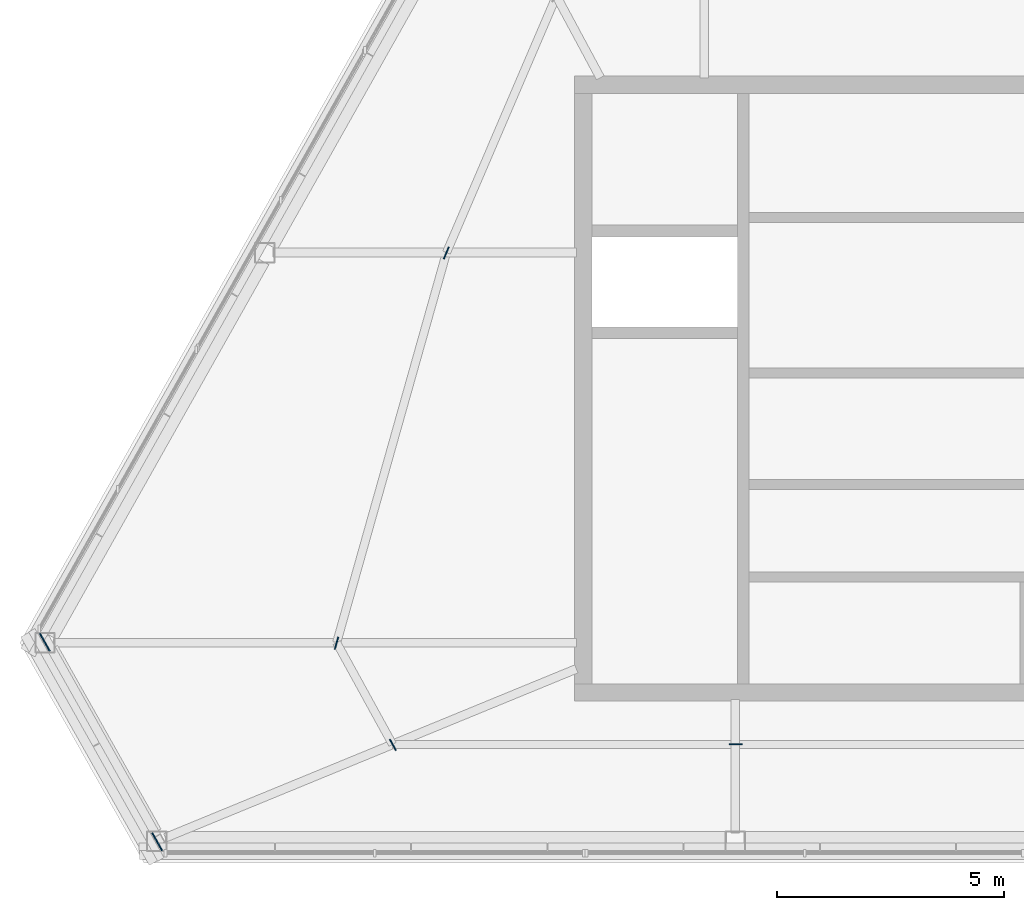
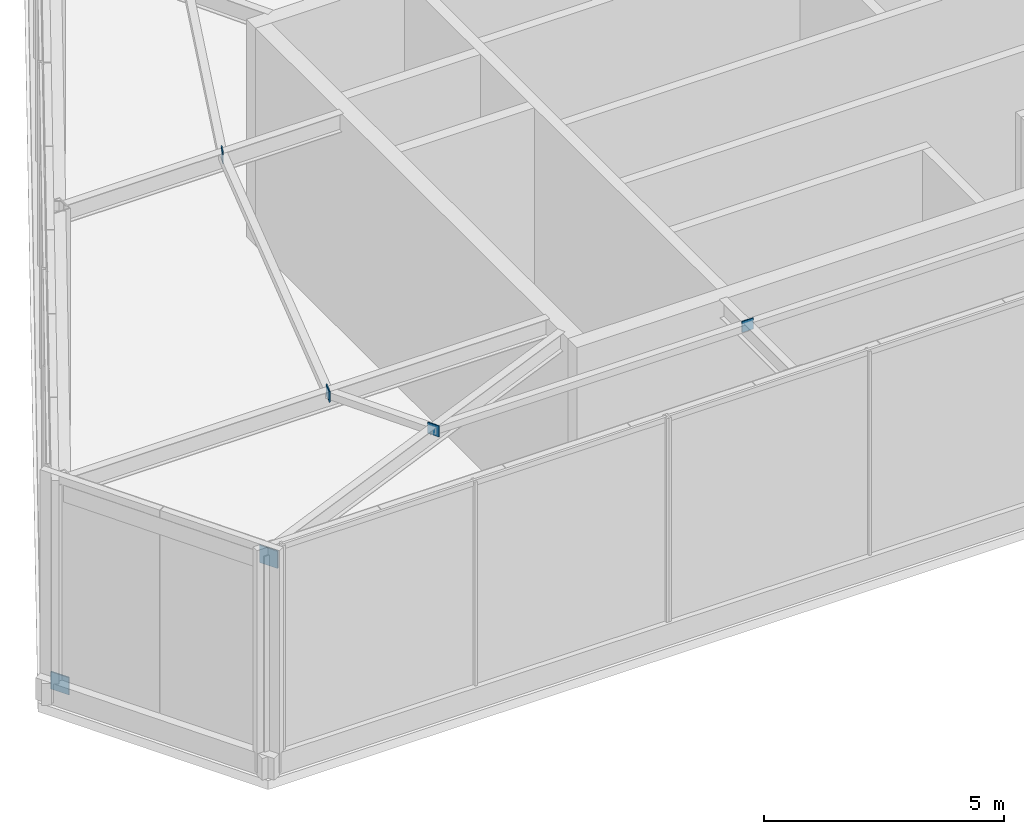
# One storey, part 7 of 12: 6 plates.
"""IFC4 building model written with IfcOpenShell, lengths in metres."""

from ifc_helpers import new_model, si_unit, direction, frame, origin, origin_2d, place, context, subcontext, project, spatial, rectangle, extrude, material, layer, layer_set, type_object, element, save


model = new_model("IFC4")

# Units and contexts
model_context = context("Model", 3, precision=1e-05, world=origin(), true_north=direction((0.0, 1.0)))
body_context = subcontext(model_context, "Body", "Model", "MODEL_VIEW")
ifc_project = project(units=[si_unit("LENGTHUNIT", "METRE"), si_unit("AREAUNIT", "SQUARE_METRE"), si_unit("VOLUMEUNIT", "CUBIC_METRE"), si_unit("PLANEANGLEUNIT", "RADIAN"), si_unit("MASSUNIT", "GRAM", prefix="KILO")], contexts=[model_context])

# Site, building, storey
site_placement = place(None, origin())
site = spatial("IfcSite", under=ifc_project, at=site_placement, CompositionType="ELEMENT")
building_placement = place(site_placement, origin())
building = spatial("IfcBuilding", under=site, at=building_placement, Name="Kavelnor Concourse Tower", CompositionType="ELEMENT")
storey_placement = place(building_placement, frame((0.0, 0.0, 315.699951171875)))
storey = spatial("IfcBuildingStorey", under=building, at=storey_placement, Name="L79", CompositionType="ELEMENT", Elevation=315.699951171875)

# Plates
ifc_material = material(Name="Steel Grade 350", Category="steel")
ifc_layer_1 = layer(ifc_material, 0.031982421875, Name="Steel Grade 350")
ifc_layer_set_1 = layer_set([ifc_layer_1], Name="Steel Grade 350")
plate_type_1 = type_object("IfcPlateType", Name="PL-GUSSET-TUBE-Z1", PredefinedType="USERDEFINED", material=ifc_layer_set_1)
for number, where, z_axis, x_axis, name in (
    (1, (16.431884765625, 10.51806640625, 0.080078125), (0.0, 0.0, 1.0), (0.490751690644, -0.871299476719, 0.0), "L79 Crown Brace 04 End Gusset A"),
    (2, (18.90625, 6.12451171875, 5.090087890625), (0.0, 0.0, 1.0), (0.490751690644, -0.871299476719, 0.0), "L79 Crown Brace 04 End Gusset B"),
):
    element("IfcPlate", number, at=place(storey_placement, frame(where, z_axis=z_axis, x_axis=x_axis)), inside=storey, type_object=plate_type_1, Name=name, ObjectType="GUSSET_PLATE", PredefinedType="USERDEFINED", context=body_context, shape_type="SweptSolid", body=[
        extrude(rectangle(XDim=0.43994140625, YDim=0.031982421875, at=origin_2d()), origin(), (0.0, 0.0, 1.0), 0.43994140625),
    ])
ifc_layer_2 = layer(ifc_material, 0.02490234375, Name="Steel Grade 350")
ifc_layer_set_2 = layer_set([ifc_layer_2], Name="Steel Grade 350")
plate_type_2 = type_object("IfcPlateType", Name="PL-SPLICE-FLANGE", PredefinedType="SHEET", material=ifc_layer_set_2)
for number, where, z_axis, x_axis, name in (
    (3, (25.273193359375, 19.086181640625, 5.2900390625), (0.0, 0.0, 1.0), (-0.393781484212, -0.919204081089, 0.0), "L79 Roof Purlin 02 End Gusset B"),
    (4, (22.855712890625, 10.49609375, 5.2900390625), (0.0, 0.0, 1.0), (-0.271104473079, -0.962549928407, 0.0), "L79 Roof Purlin 03 End Gusset B"),
    (5, (24.095947265625, 8.257080078125, 5.2900390625), (0.0, 0.0, 1.0), (0.481753674102, -0.876306680044, 0.0), "L79 Roof Purlin 04 End Gusset B"),
    (6, (31.6455078125, 8.267578125, 5.2900390625), (0.0, 0.0, 1.0), (1.0, 0.0, 0.0), "L79 Roof Purlin 05 End Gusset B"),
):
    element("IfcPlate", number, at=place(storey_placement, frame(where, z_axis=z_axis, x_axis=x_axis)), inside=storey, type_object=plate_type_2, Name=name, PredefinedType="SHEET", context=body_context, shape_type="SweptSolid", body=[
        extrude(rectangle(XDim=0.280029296875, YDim=0.02490234375, at=origin_2d()), origin(), (0.0, 0.0, 1.0), 0.280029296875),
    ])

save(model, "model.ifc")
